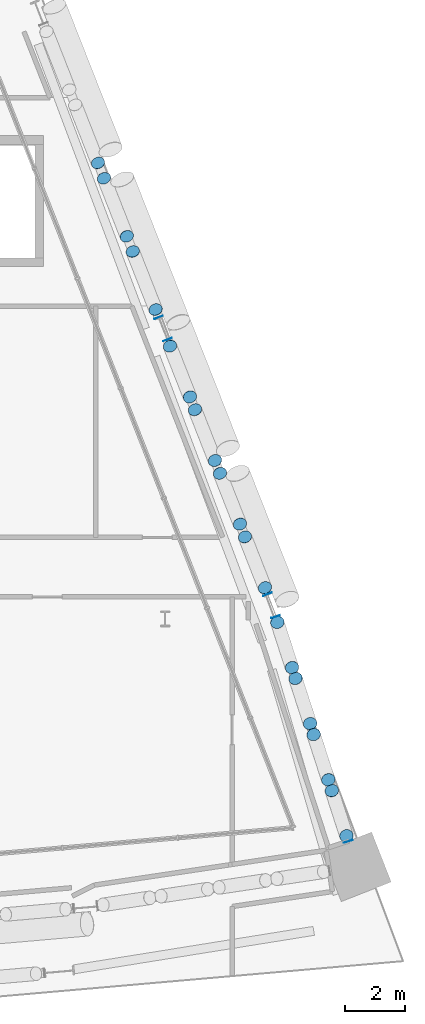
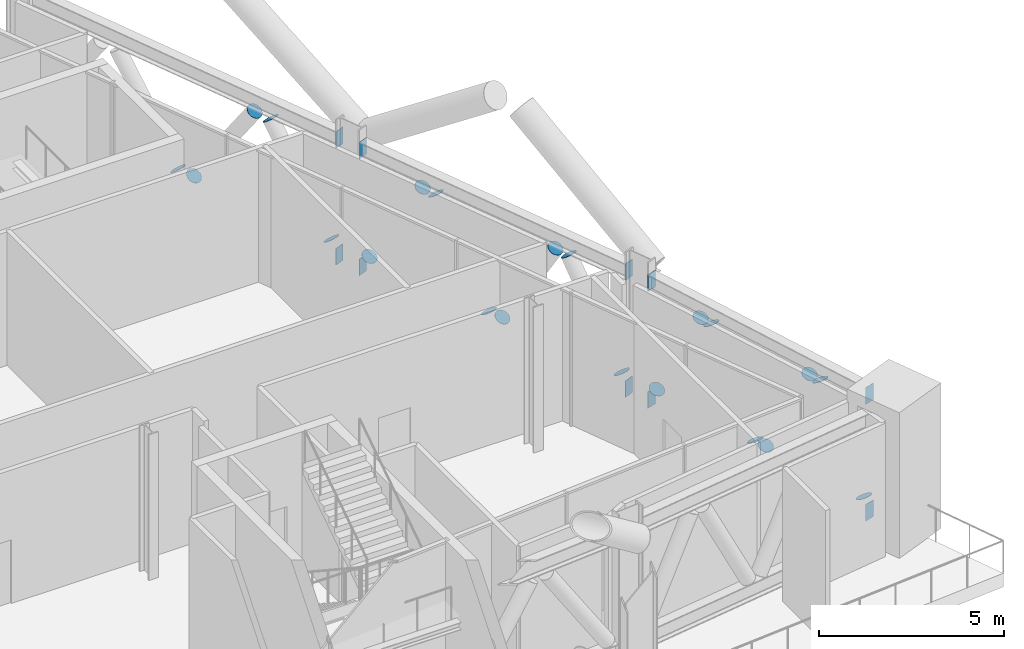
# One storey, part 33 of 39: 31 discrete accessories.
"""IFC4 building model written with IfcOpenShell, lengths in metres."""

from ifc_helpers import new_model, si_unit, direction, frame, origin, origin_2d, place, context, subcontext, project, spatial, rectangle, circle, extrude, material, material_profile, profile_set, type_object, element, save


model = new_model("IFC4")

# Units and contexts
model_context = context("Model", 3, precision=1e-05, world=origin(), true_north=direction((0.0, 1.0)))
body_context = subcontext(model_context, "Body", "Model", "MODEL_VIEW")
ifc_project = project(units=[si_unit("LENGTHUNIT", "METRE"), si_unit("AREAUNIT", "SQUARE_METRE"), si_unit("VOLUMEUNIT", "CUBIC_METRE"), si_unit("PLANEANGLEUNIT", "RADIAN"), si_unit("MASSUNIT", "GRAM", prefix="KILO")], contexts=[model_context])

# Site, building, storey
site_placement = place(None, origin())
site = spatial("IfcSite", under=ifc_project, at=site_placement, CompositionType="ELEMENT")
building_placement = place(site_placement, origin())
building = spatial("IfcBuilding", under=site, at=building_placement, Name="Wharfspan Tower", CompositionType="ELEMENT")
storey_placement = place(building_placement, frame((0.0, 0.0, 91.899902)))
storey = spatial("IfcBuildingStorey", under=building, at=storey_placement, Name="L20", CompositionType="ELEMENT", Elevation=91.899902)

# Discrete accessories
ifc_material_1 = material(Name="Steel S460NH", Category="steel")
ifc_material_profile_1 = material_profile(ifc_material_1, circle(Radius=0.228516, at=origin_2d()))
ifc_profile_set_1 = profile_set([ifc_material_profile_1], Name="Steel S460NH")
discrete_accessory_type_1 = type_object("IfcDiscreteAccessoryType", Name="End plate CHS 457x16", PredefinedType="BRACKET", material=ifc_profile_set_1)
discrete_accessory_1_placement = place(storey_placement, frame((90.091064, 4.213379, 0.645752), z_axis=(-0.149025, 0.422238, 0.894151), x_axis=(-0.942994, -0.332821, 0.0)))
element("IfcDiscreteAccessory", 1, at=discrete_accessory_1_placement, inside=storey, type_object=discrete_accessory_type_1, Name="End plate CHS 457x16", PredefinedType="BRACKET", context=body_context, shape_type="SweptSolid", body=[
    extrude(circle(Radius=0.228516, at=origin_2d()), origin(), (0.0, 0.0, 1.0), 0.009766),
])
for number, where, z_axis, x_axis, name in (
    (2, (89.600342, 5.729492, 3.745605), (-0.144296, 0.432887, 0.889824), (-0.948685, -0.316227, -1e-06), "End plate CHS 457x16"),
    (3, (89.481689, 6.096436, 3.754639), (-0.144296, 0.432887, -0.889824), (-0.948685, -0.316227, 1e-06), "End plate CHS 457x16"),
):
    element("IfcDiscreteAccessory", number, at=place(storey_placement, frame(where, z_axis=z_axis, x_axis=x_axis)), inside=storey, type_object=discrete_accessory_type_1, Name=name, PredefinedType="BRACKET", context=body_context, shape_type="SweptSolid", body=[
        extrude(circle(Radius=0.228516, at=origin_2d()), origin(), (0.0, 0.0, 1.0), 0.010254),
    ])
for number, where, z_axis, x_axis, name in (
    (4, (88.991211, 7.612549, 0.654541), (-0.147442, 0.442326, -0.884652), (-0.948684, -0.316228, 0.0), "End plate CHS 457x16"),
    (5, (88.872314, 7.979492, 0.645752), (-0.123278, 0.443802, 0.887605), (-0.963521, -0.267644, 0.0), "End plate CHS 457x16"),
):
    element("IfcDiscreteAccessory", number, at=place(storey_placement, frame(where, z_axis=z_axis, x_axis=x_axis)), inside=storey, type_object=discrete_accessory_type_1, Name=name, PredefinedType="BRACKET", context=body_context, shape_type="SweptSolid", body=[
        extrude(circle(Radius=0.228516, at=origin_2d()), origin(), (0.0, 0.0, 1.0), 0.01001),
    ])
for number, where, z_axis, x_axis, name in (
    (6, (88.381836, 9.49585, 3.745605), (-0.144296, 0.432887, 0.889824), (-0.948685, -0.316227, -1e-06), "End plate CHS 457x16"),
    (7, (88.263184, 9.862549, 3.754639), (-0.144296, 0.432887, -0.889824), (-0.948685, -0.316227, 1e-06), "End plate CHS 457x16"),
):
    element("IfcDiscreteAccessory", number, at=place(storey_placement, frame(where, z_axis=z_axis, x_axis=x_axis)), inside=storey, type_object=discrete_accessory_type_1, Name=name, PredefinedType="BRACKET", context=body_context, shape_type="SweptSolid", body=[
        extrude(circle(Radius=0.228516, at=origin_2d()), origin(), (0.0, 0.0, 1.0), 0.010254),
    ])
for number, where, z_axis, x_axis, name in (
    (8, (87.772461, 11.378906, 0.654541), (-0.147442, 0.442326, -0.884652), (-0.948684, -0.316228, 0.0), "End plate CHS 457x16"),
    (9, (87.354492, 12.543945, 0.658447), (-0.196946, 0.467748, 0.86164), (-0.921633, -0.388055, 0.0), "End plate CHS 457x16"),
    (10, (86.684326, 14.249023, 3.733154), (-0.194659, 0.486648, 0.851634), (-0.928476, -0.37139, 0.0), "End plate CHS 457x16"),
    (11, (86.515381, 14.679199, 3.741699), (-0.196946, 0.467748, -0.86164), (-0.921633, -0.388055, 0.0), "End plate CHS 457x16"),
    (12, (85.845215, 16.384277, 0.666992), (-0.194659, 0.486648, -0.851634), (-0.928476, -0.37139, 0.0), "End plate CHS 457x16"),
    (13, (85.67627, 16.814453, 0.658447), (-0.196946, 0.467748, 0.86164), (-0.921633, -0.388055, 0.0), "End plate CHS 457x16"),
    (14, (85.006104, 18.519531, 3.733154), (-0.194659, 0.486648, 0.851634), (-0.928476, -0.37139, 0.0), "End plate CHS 457x16"),
):
    element("IfcDiscreteAccessory", number, at=place(storey_placement, frame(where, z_axis=z_axis, x_axis=x_axis)), inside=storey, type_object=discrete_accessory_type_1, Name=name, PredefinedType="BRACKET", context=body_context, shape_type="SweptSolid", body=[
        extrude(circle(Radius=0.228516, at=origin_2d()), origin(), (0.0, 0.0, 1.0), 0.01001),
    ])
discrete_accessory_2_placement = place(storey_placement, frame((84.836914, 18.949707, 3.741699), z_axis=(-0.173117, 0.469888, -0.865584), x_axis=(-0.938346, -0.345709, -1e-06)))
element("IfcDiscreteAccessory", 15, at=discrete_accessory_2_placement, inside=storey, type_object=discrete_accessory_type_1, Name="End plate CHS 457x16", PredefinedType="BRACKET", context=body_context, shape_type="SweptSolid", body=[
    extrude(circle(Radius=0.228516, at=origin_2d()), origin(), (0.0, 0.0, 1.0), 0.009766),
])
for number, where, z_axis, x_axis, name in (
    (16, (84.166748, 20.654785, 0.666992), (-0.171088, 0.488824, -0.855442), (-0.94386, -0.330352, -1e-06), "End plate CHS 457x16"),
    (17, (83.684082, 21.883057, 0.671143), (-0.196293, 0.51527, 0.834246), (-0.934491, -0.355996, 0.0), "End plate CHS 457x16"),
    (18, (82.917969, 23.832275, 3.720703), (-0.193801, 0.532952, 0.823653), (-0.939792, -0.341743, 0.0), "End plate CHS 457x16"),
    (19, (82.717041, 24.343994, 3.729004), (-0.219708, 0.512653, -0.830009), (-0.919147, -0.393921, -1e-06), "End plate CHS 457x16"),
    (20, (81.950928, 26.293213, 0.679443), (-0.216946, 0.530313, -0.819575), (-0.925547, -0.378634, -1e-06), "End plate CHS 457x16"),
    (21, (81.749756, 26.804932, 0.671143), (-0.216946, 0.530313, 0.819575), (-0.925547, -0.378634, 1e-06), "End plate CHS 457x16"),
):
    element("IfcDiscreteAccessory", number, at=place(storey_placement, frame(where, z_axis=z_axis, x_axis=x_axis)), inside=storey, type_object=discrete_accessory_type_1, Name=name, PredefinedType="BRACKET", context=body_context, shape_type="SweptSolid", body=[
        extrude(circle(Radius=0.228516, at=origin_2d()), origin(), (0.0, 0.0, 1.0), 0.01001),
    ])
ifc_material_2 = material(Name="Steel S355J2", Category="steel")
ifc_material_profile_2 = material_profile(ifc_material_2, rectangle(XDim=0.300049, YDim=0.550049, at=origin_2d()))
ifc_profile_set_2 = profile_set([ifc_material_profile_2], Name="Steel S355J2")
discrete_accessory_type_2 = type_object("IfcDiscreteAccessoryType", Name="End plate HEB 550", PredefinedType="BRACKET", material=ifc_profile_set_2)
for number, where, z_axis, x_axis, name in (
    (22, (90.152588, 4.022461, 4.125), (-0.294086, 0.955779, 0.0), (-0.955779, -0.294086, 0.0), "End plate HEB 550"),
    (23, (87.712402, 11.564453, 4.125), (-0.294086, 0.955779, 0.0), (-0.955779, -0.294086, 0.0), "End plate HEB 550"),
    (24, (90.152588, 4.022461, 0.275146), (-0.294086, 0.955779, 0.0), (-0.955779, -0.294086, 0.0), "End plate HEB 550"),
    (25, (87.712402, 11.564453, 0.275146), (-0.294086, 0.955779, 0.0), (-0.955779, -0.294086, 0.0), "End plate HEB 550"),
    (26, (87.44165, 12.322021, 4.125), (-0.367167, 0.930155, 0.0), (-0.930155, -0.367167, 0.0), "End plate HEB 550"),
):
    element("IfcDiscreteAccessory", number, at=place(storey_placement, frame(where, z_axis=z_axis, x_axis=x_axis)), inside=storey, type_object=discrete_accessory_type_2, Name=name, PredefinedType="BRACKET", context=body_context, shape_type="SweptSolid", body=[
        extrude(rectangle(XDim=0.300049, YDim=0.550049, at=origin_2d()), origin(), (0.0, 0.0, 1.0), 0.01001),
    ])
discrete_accessory_3_placement = place(storey_placement, frame((84.081299, 20.87207, 4.125), z_axis=(-0.358979, 0.933346, 0.0), x_axis=(-0.933346, -0.358979, 0.0)))
element("IfcDiscreteAccessory", 27, at=discrete_accessory_3_placement, inside=storey, type_object=discrete_accessory_type_2, Name="End plate HEB 550", PredefinedType="BRACKET", context=body_context, shape_type="SweptSolid", body=[
    extrude(rectangle(XDim=0.300049, YDim=0.550049, at=origin_2d()), origin(), (0.0, 0.0, 1.0), 0.010254),
])
discrete_accessory_4_placement = place(storey_placement, frame((87.44165, 12.322021, 0.275146), z_axis=(-0.367167, 0.930155, 0.0), x_axis=(-0.930155, -0.367167, 0.0)))
element("IfcDiscreteAccessory", 28, at=discrete_accessory_4_placement, inside=storey, type_object=discrete_accessory_type_2, Name="End plate HEB 550", PredefinedType="BRACKET", context=body_context, shape_type="SweptSolid", body=[
    extrude(rectangle(XDim=0.300049, YDim=0.550049, at=origin_2d()), origin(), (0.0, 0.0, 1.0), 0.01001),
])
for number, where, z_axis, x_axis, name in (
    (29, (84.081299, 20.87207, 0.275146), (-0.358979, 0.933346, 0.0), (-0.933346, -0.358979, 0.0), "End plate HEB 550"),
    (30, (83.787354, 21.620361, 4.125), (-0.358979, 0.933346, 0.0), (-0.933346, -0.358979, 0.0), "End plate HEB 550"),
    (31, (83.787354, 21.620361, 0.275146), (-0.358979, 0.933346, 0.0), (-0.933346, -0.358979, 0.0), "End plate HEB 550"),
):
    element("IfcDiscreteAccessory", number, at=place(storey_placement, frame(where, z_axis=z_axis, x_axis=x_axis)), inside=storey, type_object=discrete_accessory_type_2, Name=name, PredefinedType="BRACKET", context=body_context, shape_type="SweptSolid", body=[
        extrude(rectangle(XDim=0.300049, YDim=0.550049, at=origin_2d()), origin(), (0.0, 0.0, 1.0), 0.010254),
    ])

save(model, "model.ifc")
